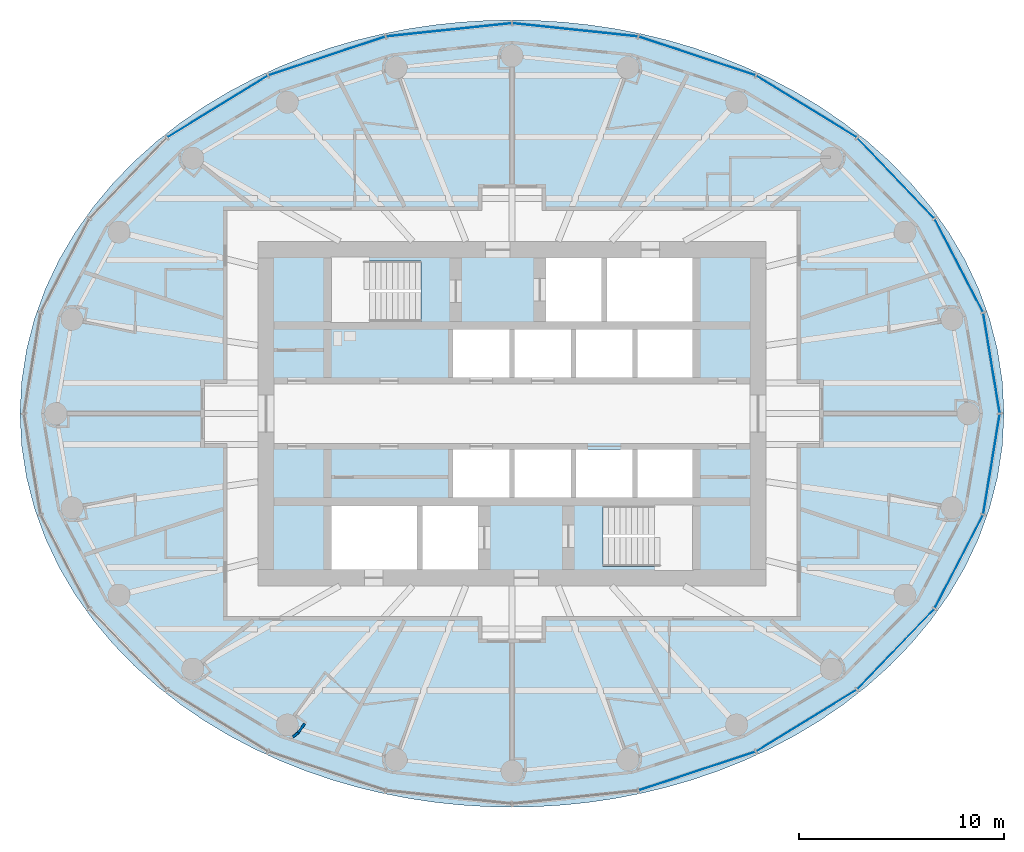
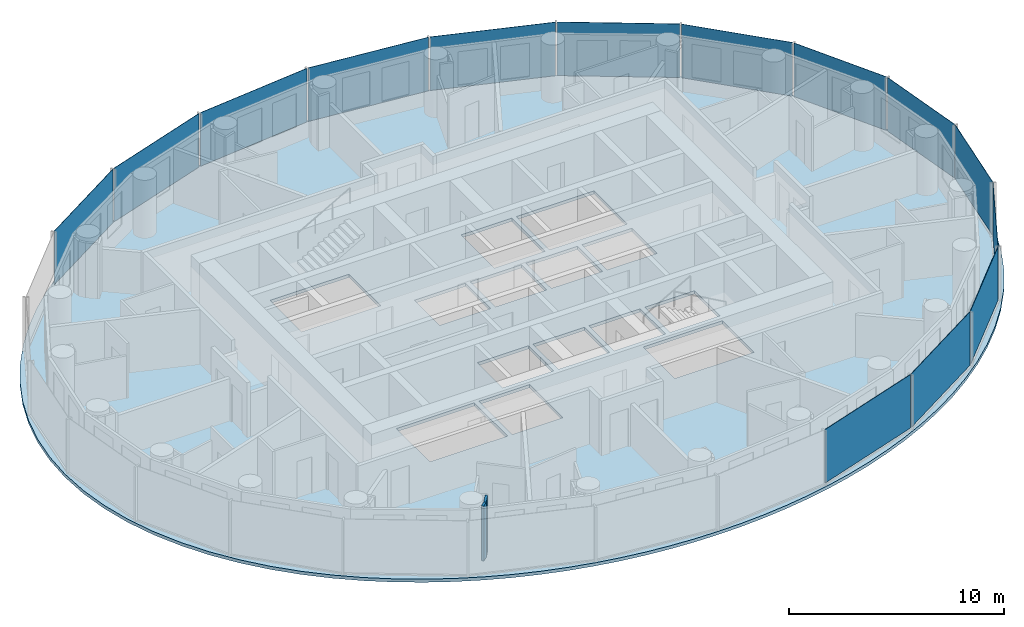
# One storey, part 5 of 16: 14 plates, 2 walls, 1 slab, 3 elements without a shape of their own.
"""IFC4 building model written with IfcOpenShell, lengths in metres."""

import ifcopenshell
import ifcopenshell.guid

model = None  # the IFC model being written
_history = None  # IfcOwnerHistory: only IFC2X3 demands one
_inside = {}  # id of a spatial element -> (the spatial element, [elements in it])
_under = {}  # id of a project, library or spatial element -> (it, [spatial elements below it])
_declared = {}  # id of a project -> (the project, [libraries it declares])
_typed = {}  # id of a type object -> (the type object, [elements of that type])
_made_of = {}  # id of a material, layer set ... -> (it, [elements and type objects made of it])


def new_model(schema):
    """Start an empty IFC model of exactly this schema.

    Asked for "IFC4X3", IfcOpenShell would pick the latest addendum, in which some entities
    have other attributes; the version numbers below select the first issue.
    IFC2X3 requires an IfcOwnerHistory on every rooted entity: one is made here for all.
    """
    global model, _history
    if schema == "IFC4X3":
        model = ifcopenshell.file(schema_version=(4, 3, 0, 0))
    else:
        model = ifcopenshell.file(schema=schema)
    _inside.clear()
    _under.clear()
    _declared.clear()
    _typed.clear()
    _made_of.clear()
    _history = None
    if model.schema == "IFC2X3":
        org = make("IfcOrganization", Name="unknown")
        user = make(
            "IfcPersonAndOrganization",
            ThePerson=make("IfcPerson", FamilyName="unknown"),
            TheOrganization=org,
        )
        app = make(
            "IfcApplication",
            ApplicationDeveloper=org,
            Version="unknown",
            ApplicationFullName="unknown",
            ApplicationIdentifier="unknown",
        )
        _history = make(
            "IfcOwnerHistory",
            OwningUser=user,
            OwningApplication=app,
            ChangeAction="ADDED",
            CreationDate=0,
        )
    return model


def make(cls, **values):
    """One entity of the class cls with the attributes given. An attribute that is None is left unset."""
    return model.create_entity(
        cls, **{name: value for name, value in values.items() if value is not None}
    )


def rooted(cls, **values):
    """An entity with a GlobalId (a new one), such as an element, a storey or a relation."""
    return make(cls, GlobalId=ifcopenshell.guid.new(), OwnerHistory=_history, **values)


def si_unit(unit_type, name, prefix=None):
    """IfcSIUnit, for example si_unit("LENGTHUNIT", "METRE", prefix="MILLI")."""
    return make("IfcSIUnit", UnitType=unit_type, Prefix=prefix, Name=name)


def assignment(units):
    """IfcUnitAssignment: the units of a project."""
    return None if units is None else make("IfcUnitAssignment", Units=units)


def point(xyz):
    """IfcCartesianPoint."""
    return None if xyz is None else make("IfcCartesianPoint", Coordinates=xyz)


def direction(xyz):
    """IfcDirection."""
    return None if xyz is None else make("IfcDirection", DirectionRatios=xyz)


def frame(location, z_axis=None, x_axis=None):
    """IfcAxis2Placement3D, a coordinate frame: its origin and axes. An axis left out is left unset."""
    return make(
        "IfcAxis2Placement3D",
        Location=point(location),
        Axis=direction(z_axis),
        RefDirection=direction(x_axis),
    )


def frame_2d(location, x_axis=None):
    """IfcAxis2Placement2D, a coordinate frame in the plane: its origin and x axis."""
    return make(
        "IfcAxis2Placement2D", Location=point(location), RefDirection=direction(x_axis)
    )


def origin():
    """The frame at (0, 0, 0) with its axes left unset."""
    return frame((0.0, 0.0, 0.0))


def origin_2d():
    """The frame at (0, 0) in the plane with its x axis left unset."""
    return frame_2d((0.0, 0.0))


def place(relative_to, where):
    """IfcLocalPlacement: puts the frame where relative to a parent placement (None: the world)."""
    return make(
        "IfcLocalPlacement", PlacementRelTo=relative_to, RelativePlacement=where
    )


def context(
    kind, dimensions, precision=None, world=None, true_north=None, identifier=None
):
    """IfcGeometricRepresentationContext, for example the 3D "Model" context."""
    return make(
        "IfcGeometricRepresentationContext",
        ContextIdentifier=identifier,
        ContextType=kind,
        CoordinateSpaceDimension=dimensions,
        Precision=precision,
        WorldCoordinateSystem=world,
        TrueNorth=true_north,
    )


def subcontext(parent, identifier, kind, view, scale=None):
    """IfcGeometricRepresentationSubContext, for example "Body" below "Model"."""
    return make(
        "IfcGeometricRepresentationSubContext",
        ContextIdentifier=identifier,
        ContextType=kind,
        ParentContext=parent,
        TargetScale=scale,
        TargetView=view,
    )


def project(units=None, contexts=None):
    """IfcProject with its units and contexts."""
    return rooted(
        "IfcProject",
        Name="project",
        RepresentationContexts=contexts,
        UnitsInContext=assignment(units),
    )


def spatial(cls, under=None, at=None, **own):
    """A site, building, storey or space (cls), placed at a placement, below another one or the project."""
    s = rooted(cls, ObjectPlacement=at, **own)
    if under is not None:
        _under.setdefault(under.id(), (under, []))[1].append(s)
    return s


def polyline(points):
    """IfcPolyline through the points."""
    return make("IfcPolyline", Points=[point(p) for p in points])


def profile(cls, at=None, kind="AREA", **sizes):
    """A parametric profile (cls). Its sizes go by their IFC names, for example OverallWidth=200.0."""
    return make(cls, ProfileType=kind, Position=at, **sizes)


def rectangle(**sizes):
    """IfcRectangleProfileDef."""
    return profile("IfcRectangleProfileDef", **sizes)


def outline(outer, holes=None, kind="AREA"):
    """IfcArbitraryClosedProfileDef: a profile drawn as a closed curve; with holes, ...WithVoids."""
    if holes is None:
        return make("IfcArbitraryClosedProfileDef", ProfileType=kind, OuterCurve=outer)
    return make(
        "IfcArbitraryProfileDefWithVoids",
        ProfileType=kind,
        OuterCurve=outer,
        InnerCurves=holes,
    )


def extrude(swept, where, along, depth):
    """IfcExtrudedAreaSolid: the profile swept, set in the frame where, extruded along a direction by depth."""
    return make(
        "IfcExtrudedAreaSolid",
        SweptArea=swept,
        Position=where,
        ExtrudedDirection=direction(along),
        Depth=depth,
    )


def shape(context_of_items, identifier, shape_type, items):
    """IfcShapeRepresentation: the items that make up one representation, for example the "Body"."""
    return make(
        "IfcShapeRepresentation",
        ContextOfItems=context_of_items,
        RepresentationIdentifier=identifier,
        RepresentationType=shape_type,
        Items=items,
    )


def material(Name=None, Category=None):
    """IfcMaterial."""
    return make("IfcMaterial", Name=Name, Category=Category)


def layer(
    of_material, thickness, ventilated=None, Name=None, Category=None, Priority=None
):
    """IfcMaterialLayer: one layer of a wall or slab, of a material (None: an air gap)."""
    return make(
        "IfcMaterialLayer",
        Material=of_material,
        LayerThickness=thickness,
        IsVentilated=ventilated,
        Name=Name,
        Category=Category,
        Priority=Priority,
    )


def layer_set(layers, Name=None):
    """IfcMaterialLayerSet."""
    return make("IfcMaterialLayerSet", MaterialLayers=layers, LayerSetName=Name)


def made_of(thing, what):
    """Note that an element or type object is made of a material, layer set ...; save() writes the relation."""
    if what is not None:
        _made_of.setdefault(what.id(), (what, []))[1].append(thing)
    return thing


def type_object(cls, material=None, **own):
    """A type object (cls), such as IfcWallType, which elements share."""
    return made_of(rooted(cls, **own), material)


def element(
    cls,
    number,
    at=None,
    inside=None,
    cuts=None,
    type_object=None,
    material=None,
    context=None,
    identifier="Body",
    shape_type=None,
    held_by="IfcProductDefinitionShape",
    body=None,
    shapes=None,
    **own,
):
    """One element of the class cls, such as IfcWall. Its Tag is "e" and its number.

    at: its placement. inside: the storey or other place that contains it. cuts: it is an
    opening in that element (IfcRelVoidsElement). A single representation is given by context,
    identifier, shape_type and body (its items); several are given by shapes. held_by: the class
    of the entity that holds the representations. save() writes the other relations.
    """
    e = rooted(cls, Tag="e%d" % number, ObjectPlacement=at, **own)
    if body is not None:
        shapes = [shape(context, identifier, shape_type, body)]
    if shapes is not None:
        e.Representation = make(held_by, Representations=shapes)
    if inside is not None:
        _inside.setdefault(inside.id(), (inside, []))[1].append(e)
    if cuts is not None:
        rooted(
            "IfcRelVoidsElement", RelatingBuildingElement=cuts, RelatedOpeningElement=e
        )
    if type_object is not None:
        _typed.setdefault(type_object.id(), (type_object, []))[1].append(e)
    return made_of(e, material)


def aggregate(whole, parts):
    """IfcRelAggregates: a whole, such as a stair, and the parts it consists of."""
    return rooted("IfcRelAggregates", RelatingObject=whole, RelatedObjects=parts)


def save(model, path):
    """Write the relations noted so far, then the file.

    IfcRelAggregates (storeys below a building ...), IfcRelContainedInSpatialStructure (elements
    in a storey), IfcRelDefinesByType, IfcRelAssociatesMaterial and IfcRelDeclares: one each for
    every whole, place, type object, material and project.
    """
    for whole, parts in _under.values():
        aggregate(whole, parts)
    for where, things in _inside.values():
        rooted(
            "IfcRelContainedInSpatialStructure",
            RelatedElements=things,
            RelatingStructure=where,
        )
    for kind, things in _typed.values():
        rooted("IfcRelDefinesByType", RelatedObjects=things, RelatingType=kind)
    for what, things in _made_of.values():
        rooted("IfcRelAssociatesMaterial", RelatedObjects=things, RelatingMaterial=what)
    for by, libraries in _declared.values():
        rooted("IfcRelDeclares", RelatingContext=by, RelatedDefinitions=libraries)
    model.write(path)


model = new_model("IFC4")

# Units and contexts
model_context = context("Model", 3, precision=1e-05, world=origin(), true_north=direction((0.0, 1.0)))
body_context = subcontext(model_context, "Body", "Model", "MODEL_VIEW")
ifc_project = project(units=[si_unit("LENGTHUNIT", "METRE"), si_unit("AREAUNIT", "SQUARE_METRE"), si_unit("VOLUMEUNIT", "CUBIC_METRE"), si_unit("PLANEANGLEUNIT", "RADIAN"), si_unit("MASSUNIT", "GRAM", prefix="KILO")], contexts=[model_context])

# Site, building, storey
site_placement = place(None, origin())
site = spatial("IfcSite", under=ifc_project, at=site_placement, CompositionType="ELEMENT")
building_placement = place(site_placement, origin())
building = spatial("IfcBuilding", under=site, at=building_placement, Name="Hankou Lantern Tower", CompositionType="ELEMENT")
storey_placement = place(building_placement, frame((0.0, 0.0, 146.699951171875)))
storey = spatial("IfcBuildingStorey", under=building, at=storey_placement, Name="L38", CompositionType="ELEMENT", Elevation=146.699951171875)

# Curtain wall, plates
ifc_material_1 = material(Name="Glass, dark grey tinted laminated", Category="glass")
curtain_wall_type = type_object("IfcCurtainWallType", Name="CWC OUTER SKIN HIGH-RISE", PredefinedType="USERDEFINED", material=ifc_material_1)
curtain_wall_1_placement = place(storey_placement, origin())
curtain_wall_1 = element("IfcCurtainWall", 1, at=curtain_wall_1_placement, inside=storey, type_object=curtain_wall_type, Name="CWC L38 OS1", ObjectType="OUTER SKIN HIGH-RISE", PredefinedType="USERDEFINED")
ifc_material_2 = material(Name="Glass, dark grey tinted laminated", Category="glass")
ifc_layer_1 = layer(ifc_material_2, 0.02392578125)
ifc_layer_set_1 = layer_set([ifc_layer_1], Name="Glass, dark grey tinted laminated")
plate_type = type_object("IfcPlateType", Name="PN1 OUTER SKIN GLASS PANEL", PredefinedType="CURTAIN_PANEL", material=ifc_layer_set_1)
plate_1_placement = place(storey_placement, frame((23.39453125, 2.4638671875, 0.080078125), z_axis=(0.0, 0.0, 1.0), x_axis=(-0.162381515188, 0.986728049427, 0.0)))
plate_1 = element("IfcPlate", 2, at=plate_1_placement, type_object=plate_type, Name="CWC glass panel 1", PredefinedType="CURTAIN_PANEL", context=body_context, shape_type="SweptSolid", body=[
    extrude(rectangle(XDim=4.914306640625, YDim=0.02392578125, at=origin_2d()), origin(), (0.0, 0.0, 1.0), 3.0400390625),
])
plate_2_placement = place(storey_placement, frame((21.80029296875, 7.223876953125, 0.080078125), z_axis=(0.0, 0.0, 1.0), x_axis=(-0.459791091957, 0.888027112062, 0.0)))
plate_2 = element("IfcPlate", 3, at=plate_2_placement, type_object=plate_type, Name="CWC glass panel 2", PredefinedType="CURTAIN_PANEL", context=body_context, shape_type="SweptSolid", body=[
    extrude(rectangle(XDim=5.091064453125, YDim=0.02392578125, at=origin_2d()), origin(), (0.0, 0.0, 1.0), 3.0400390625),
])
plate_3_placement = place(storey_placement, frame((18.72021484375, 11.49169921875, 0.080078125), z_axis=(0.0, 0.0, 1.0), x_axis=(-0.692215809936, 0.721690565599, 0.0)))
plate_3 = element("IfcPlate", 4, at=plate_3_placement, type_object=plate_type, Name="CWC glass panel 3", PredefinedType="CURTAIN_PANEL", context=body_context, shape_type="SweptSolid", body=[
    extrude(rectangle(XDim=5.384033203125, YDim=0.02392578125, at=origin_2d()), origin(), (0.0, 0.0, 1.0), 3.0400390625),
])
plate_4_placement = place(storey_placement, frame((14.364501953125, 14.976318359375, 0.080078125), z_axis=(0.0, 0.0, 1.0), x_axis=(-0.852237151549, 0.523155653242, 0.0)))
plate_4 = element("IfcPlate", 5, at=plate_4_placement, type_object=plate_type, Name="CWC glass panel 4", PredefinedType="CURTAIN_PANEL", context=body_context, shape_type="SweptSolid", body=[
    extrude(rectangle(XDim=5.703857421875, YDim=0.02392578125, at=origin_2d()), origin(), (0.0, 0.0, 1.0), 3.0400390625),
])
plate_5_placement = place(storey_placement, frame((9.030029296875, 17.440185546875, 0.080078125), z_axis=(0.0, 0.0, 1.0), x_axis=(-0.949240677293, 0.31455068999, 0.0)))
plate_5 = element("IfcPlate", 6, at=plate_5_placement, type_object=plate_type, Name="CWC glass panel 5", PredefinedType="CURTAIN_PANEL", context=body_context, shape_type="SweptSolid", body=[
    extrude(rectangle(XDim=5.967041015625, YDim=0.02392578125, at=origin_2d()), origin(), (0.0, 0.0, 1.0), 3.0400390625),
])
plate_6_placement = place(storey_placement, frame((3.079833984375, 18.715576171875, 0.080078125), z_axis=(0.0, 0.0, 1.0), x_axis=(-0.994499359107, 0.104742659579, 0.0)))
plate_6 = element("IfcPlate", 7, at=plate_6_placement, type_object=plate_type, Name="CWC glass panel 6", PredefinedType="CURTAIN_PANEL", context=body_context, shape_type="SweptSolid", body=[
    extrude(rectangle(XDim=6.114013671875, YDim=0.02392578125, at=origin_2d()), origin(), (0.0, 0.0, 1.0), 3.0400390625),
])
aggregate(curtain_wall_1, [plate_1, plate_2, plate_3, plate_4, plate_5, plate_6])

curtain_wall_2_placement = place(storey_placement, origin())
curtain_wall_2 = element("IfcCurtainWall", 8, at=curtain_wall_2_placement, inside=storey, type_object=curtain_wall_type, Name="CWC L38 OS2", ObjectType="OUTER SKIN HIGH-RISE", PredefinedType="USERDEFINED")
plate_7_placement = place(storey_placement, frame((-3.079833984375, 18.715576171875, 0.080078125), z_axis=(0.0, 0.0, 1.0), x_axis=(-0.994499359107, -0.104742659579, 0.0)))
plate_7 = element("IfcPlate", 9, at=plate_7_placement, type_object=plate_type, Name="CWC glass panel 1", PredefinedType="CURTAIN_PANEL", context=body_context, shape_type="SweptSolid", body=[
    extrude(rectangle(XDim=6.114013671875, YDim=0.02392578125, at=origin_2d()), origin(), (0.0, 0.0, 1.0), 3.0400390625),
])
plate_8_placement = place(storey_placement, frame((-9.030029296875, 17.440185546875, 0.080078125), z_axis=(0.0, 0.0, 1.0), x_axis=(-0.949240677293, -0.31455068999, 0.0)))
plate_8 = element("IfcPlate", 10, at=plate_8_placement, type_object=plate_type, Name="CWC glass panel 2", PredefinedType="CURTAIN_PANEL", context=body_context, shape_type="SweptSolid", body=[
    extrude(rectangle(XDim=5.967041015625, YDim=0.02392578125, at=origin_2d()), origin(), (0.0, 0.0, 1.0), 3.0400390625),
])
plate_9_placement = place(storey_placement, frame((-14.364501953125, 14.976318359375, 0.080078125), z_axis=(0.0, 0.0, 1.0), x_axis=(-0.852237151549, -0.523155653242, 0.0)))
plate_9 = element("IfcPlate", 11, at=plate_9_placement, type_object=plate_type, Name="CWC glass panel 3", PredefinedType="CURTAIN_PANEL", context=body_context, shape_type="SweptSolid", body=[
    extrude(rectangle(XDim=5.703857421875, YDim=0.02392578125, at=origin_2d()), origin(), (0.0, 0.0, 1.0), 3.0400390625),
])
aggregate(curtain_wall_2, [plate_7, plate_8, plate_9])

curtain_wall_3_placement = place(storey_placement, origin())
curtain_wall_3 = element("IfcCurtainWall", 12, at=curtain_wall_3_placement, inside=storey, type_object=curtain_wall_type, Name="CWC L38 OS4", ObjectType="OUTER SKIN HIGH-RISE", PredefinedType="USERDEFINED")
plate_10_placement = place(storey_placement, frame((9.030029296875, -17.440185546875, 0.080078125), z_axis=(0.0, 0.0, 1.0), x_axis=(0.949240677293, 0.31455068999, 0.0)))
plate_10 = element("IfcPlate", 13, at=plate_10_placement, type_object=plate_type, Name="CWC glass panel 2", PredefinedType="CURTAIN_PANEL", context=body_context, shape_type="SweptSolid", body=[
    extrude(rectangle(XDim=5.967041015625, YDim=0.02392578125, at=origin_2d()), origin(), (0.0, 0.0, 1.0), 3.0400390625),
])
plate_11_placement = place(storey_placement, frame((14.364501953125, -14.976318359375, 0.080078125), z_axis=(0.0, 0.0, 1.0), x_axis=(0.852237151549, 0.523155653242, 0.0)))
plate_11 = element("IfcPlate", 14, at=plate_11_placement, type_object=plate_type, Name="CWC glass panel 3", PredefinedType="CURTAIN_PANEL", context=body_context, shape_type="SweptSolid", body=[
    extrude(rectangle(XDim=5.703857421875, YDim=0.02392578125, at=origin_2d()), origin(), (0.0, 0.0, 1.0), 3.0400390625),
])
plate_12_placement = place(storey_placement, frame((18.72021484375, -11.49169921875, 0.080078125), z_axis=(0.0, 0.0, 1.0), x_axis=(0.692215809936, 0.721690565599, 0.0)))
plate_12 = element("IfcPlate", 15, at=plate_12_placement, type_object=plate_type, Name="CWC glass panel 4", PredefinedType="CURTAIN_PANEL", context=body_context, shape_type="SweptSolid", body=[
    extrude(rectangle(XDim=5.384033203125, YDim=0.02392578125, at=origin_2d()), origin(), (0.0, 0.0, 1.0), 3.0400390625),
])
plate_13_placement = place(storey_placement, frame((21.80029296875, -7.223876953125, 0.080078125), z_axis=(0.0, 0.0, 1.0), x_axis=(0.459791091957, 0.888027112062, 0.0)))
plate_13 = element("IfcPlate", 16, at=plate_13_placement, type_object=plate_type, Name="CWC glass panel 5", PredefinedType="CURTAIN_PANEL", context=body_context, shape_type="SweptSolid", body=[
    extrude(rectangle(XDim=5.091064453125, YDim=0.02392578125, at=origin_2d()), origin(), (0.0, 0.0, 1.0), 3.0400390625),
])
plate_14_placement = place(storey_placement, frame((23.39453125, -2.4638671875, 0.080078125), z_axis=(0.0, 0.0, 1.0), x_axis=(0.162381515188, 0.986728049427, 0.0)))
plate_14 = element("IfcPlate", 17, at=plate_14_placement, type_object=plate_type, Name="CWC glass panel 6", PredefinedType="CURTAIN_PANEL", context=body_context, shape_type="SweptSolid", body=[
    extrude(rectangle(XDim=4.914306640625, YDim=0.02392578125, at=origin_2d()), origin(), (0.0, 0.0, 1.0), 3.0400390625),
])
aggregate(curtain_wall_3, [plate_10, plate_11, plate_12, plate_13, plate_14])

# Slab
ifc_material_3 = material(Name="Concrete C50", Category="concrete")
ifc_layer_2 = layer(ifc_material_3, 0.179931640625)
ifc_layer_set_2 = layer_set([ifc_layer_2], Name="Concrete C50")
slab_type = type_object("IfcSlabType", Name="S1 CONCRETE FLOOR SLAB 180", PredefinedType="FLOOR", material=ifc_layer_set_2)
slab_placement = place(storey_placement, frame((0.0, 0.0, -0.179931640625)))
element("IfcSlab", 18, at=slab_placement, inside=storey, type_object=slab_type, Name="Floor slab L38", PredefinedType="FLOOR", context=body_context, shape_type="SweptSolid", body=[
    extrude(outline(polyline([(24.0, 0.0), (23.919921875, 1.56787109375), (23.681396484375, 3.11767578125), (23.290771484375, 4.6328125), (22.75732421875, 6.097900390625), (22.09326171875, 7.499755859375), (21.312744140625, 8.827880859375), (20.43017578125, 10.0751953125), (19.461181640625, 11.23583984375), (18.420166015625, 12.307861328125), (17.320556640625, 13.29052734375), (16.174560546875, 14.184814453125), (14.99267578125, 14.99267578125), (13.783935546875, 15.717529296875), (12.5556640625, 16.363037109375), (11.31396484375, 16.9326171875), (10.0634765625, 17.4306640625), (8.8076171875, 17.8603515625), (7.54931640625, 18.225341796875), (6.289794921875, 18.52880859375), (5.0302734375, 18.7734375), (3.771728515625, 18.96142578125), (2.513916015625, 19.094482421875), (1.256591796875, 19.173583984375), (0.0, 19.199951171875), (-1.256591796875, 19.173583984375), (-2.513916015625, 19.094482421875), (-3.771728515625, 18.96142578125), (-5.0302734375, 18.7734375), (-6.289794921875, 18.52880859375), (-7.54931640625, 18.225341796875), (-8.8076171875, 17.8603515625), (-10.0634765625, 17.4306640625), (-11.31396484375, 16.9326171875), (-12.5556640625, 16.363037109375), (-13.783935546875, 15.717529296875), (-14.99267578125, 14.99267578125), (-16.174560546875, 14.184814453125), (-17.320556640625, 13.29052734375), (-18.420166015625, 12.307861328125), (-19.461181640625, 11.23583984375), (-20.43017578125, 10.0751953125), (-21.312744140625, 8.827880859375), (-22.09326171875, 7.499755859375), (-22.75732421875, 6.097900390625), (-23.290771484375, 4.6328125), (-23.681396484375, 3.11767578125), (-23.919921875, 1.56787109375), (-24.0, 0.0), (-23.919921875, -1.56787109375), (-23.681396484375, -3.11767578125), (-23.290771484375, -4.6328125), (-22.75732421875, -6.097900390625), (-22.09326171875, -7.499755859375), (-21.312744140625, -8.827880859375), (-20.43017578125, -10.0751953125), (-19.461181640625, -11.23583984375), (-18.420166015625, -12.307861328125), (-17.320556640625, -13.29052734375), (-16.174560546875, -14.184814453125), (-14.99267578125, -14.99267578125), (-13.783935546875, -15.717529296875), (-12.5556640625, -16.363037109375), (-11.31396484375, -16.9326171875), (-10.0634765625, -17.4306640625), (-8.8076171875, -17.8603515625), (-7.54931640625, -18.225341796875), (-6.289794921875, -18.52880859375), (-5.0302734375, -18.7734375), (-3.771728515625, -18.96142578125), (-2.513916015625, -19.094482421875), (-1.256591796875, -19.173583984375), (0.0, -19.199951171875), (1.256591796875, -19.173583984375), (2.513916015625, -19.094482421875), (3.771728515625, -18.96142578125), (5.0302734375, -18.7734375), (6.289794921875, -18.52880859375), (7.54931640625, -18.225341796875), (8.8076171875, -17.8603515625), (10.0634765625, -17.4306640625), (11.31396484375, -16.9326171875), (12.5556640625, -16.363037109375), (13.783935546875, -15.717529296875), (14.99267578125, -14.99267578125), (16.174560546875, -14.184814453125), (17.320556640625, -13.29052734375), (18.420166015625, -12.307861328125), (19.461181640625, -11.23583984375), (20.43017578125, -10.0751953125), (21.312744140625, -8.827880859375), (22.09326171875, -7.499755859375), (22.75732421875, -6.097900390625), (23.290771484375, -4.6328125), (23.681396484375, -3.11767578125), (23.919921875, -1.56787109375), (24.0, 0.0)]), holes=[polyline([(-2.875, 4.10009765625), (-0.125, 4.10009765625), (-0.125, 1.75), (-2.875, 1.75), (-2.875, 4.10009765625)]), polyline([(0.125, 4.10009765625), (2.875, 4.10009765625), (2.875, 1.75), (0.125, 1.75), (0.125, 4.10009765625)]), polyline([(3.125, 4.10009765625), (5.875, 4.10009765625), (5.875, 1.75), (3.125, 1.75), (3.125, 4.10009765625)]), polyline([(6.125, 4.10009765625), (8.800048828125, 4.10009765625), (8.800048828125, 1.75), (6.125, 1.75), (6.125, 4.10009765625)]), polyline([(-2.875, -1.75), (-0.125, -1.75), (-0.125, -4.10009765625), (-2.875, -4.10009765625), (-2.875, -1.75)]), polyline([(0.125, -1.75), (2.875, -1.75), (2.875, -4.10009765625), (0.125, -4.10009765625), (0.125, -1.75)]), polyline([(3.125, -1.75), (5.875, -1.75), (5.875, -4.10009765625), (3.125, -4.10009765625), (3.125, -1.75)]), polyline([(6.125, -1.75), (8.800048828125, -1.75), (8.800048828125, -4.10009765625), (6.125, -4.10009765625), (6.125, -1.75)]), polyline([(1.64990234375, 7.60009765625), (4.375, 7.60009765625), (4.375, 4.5), (1.64990234375, 4.5), (1.64990234375, 7.60009765625)]), polyline([(-4.375, -4.5), (-1.64990234375, -4.5), (-1.64990234375, -7.60009765625), (-4.375, -7.60009765625), (-4.375, -4.5)]), polyline([(-8.699951171875, 7.449951171875), (-4.449951171875, 7.449951171875), (-4.449951171875, 4.5), (-8.699951171875, 4.5), (-8.699951171875, 7.449951171875)]), polyline([(4.449951171875, -4.5), (8.699951171875, -4.5), (8.699951171875, -7.449951171875), (4.449951171875, -7.449951171875), (4.449951171875, -4.5)]), polyline([(4.625, 7.60009765625), (8.800048828125, 7.60009765625), (8.800048828125, 4.5), (4.625, 4.5), (4.625, 7.60009765625)]), polyline([(-8.800048828125, -4.5), (-4.625, -4.5), (-4.625, -7.60009765625), (-8.800048828125, -7.60009765625), (-8.800048828125, -4.5)])]), origin(), (0.0, 0.0, 1.0), 0.179931640625),
])

# Walls
ifc_material_4 = material(Name="Masonry lightweight concrete block", Category="masonry")
ifc_layer_3 = layer(ifc_material_4, 0.1201171875)
ifc_layer_set_3 = layer_set([ifc_layer_3], Name="Masonry lightweight concrete block")
wall_type = type_object("IfcWallType", Name="IW3 BATHROOM WALL 120", PredefinedType="PARTITIONING", material=ifc_layer_set_3)
wall_1_placement = place(storey_placement, frame((-10.10888671875, -15.121826171875, 0.0), z_axis=(0.0, 0.0, 1.0), x_axis=(-0.585344718358, -0.810784534072, 0.0)))
element("IfcWall", 19, at=wall_1_placement, inside=storey, type_object=wall_type, Name="Column casing 3810", PredefinedType="PARTITIONING", context=body_context, shape_type="SweptSolid", body=[
    extrude(rectangle(XDim=0.550048828125, YDim=0.1201171875, at=frame_2d((0.27490234375, 0.0))), origin(), (0.0, 0.0, 1.0), 3.1201171875),
])
wall_2_placement = place(storey_placement, frame((-10.430908203125, -15.56787109375, 0.0), z_axis=(0.0, 0.0, 1.0), x_axis=(-0.77505137267, -0.631898227345, 0.0)))
element("IfcWall", 20, at=wall_2_placement, inside=storey, type_object=wall_type, Name="Column casing 3810", PredefinedType="PARTITIONING", context=body_context, shape_type="SweptSolid", body=[
    extrude(rectangle(XDim=0.337646484375, YDim=0.1201171875, at=frame_2d((0.1689453125, 0.0))), origin(), (0.0, 0.0, 1.0), 3.1201171875),
])

save(model, "model.ifc")
